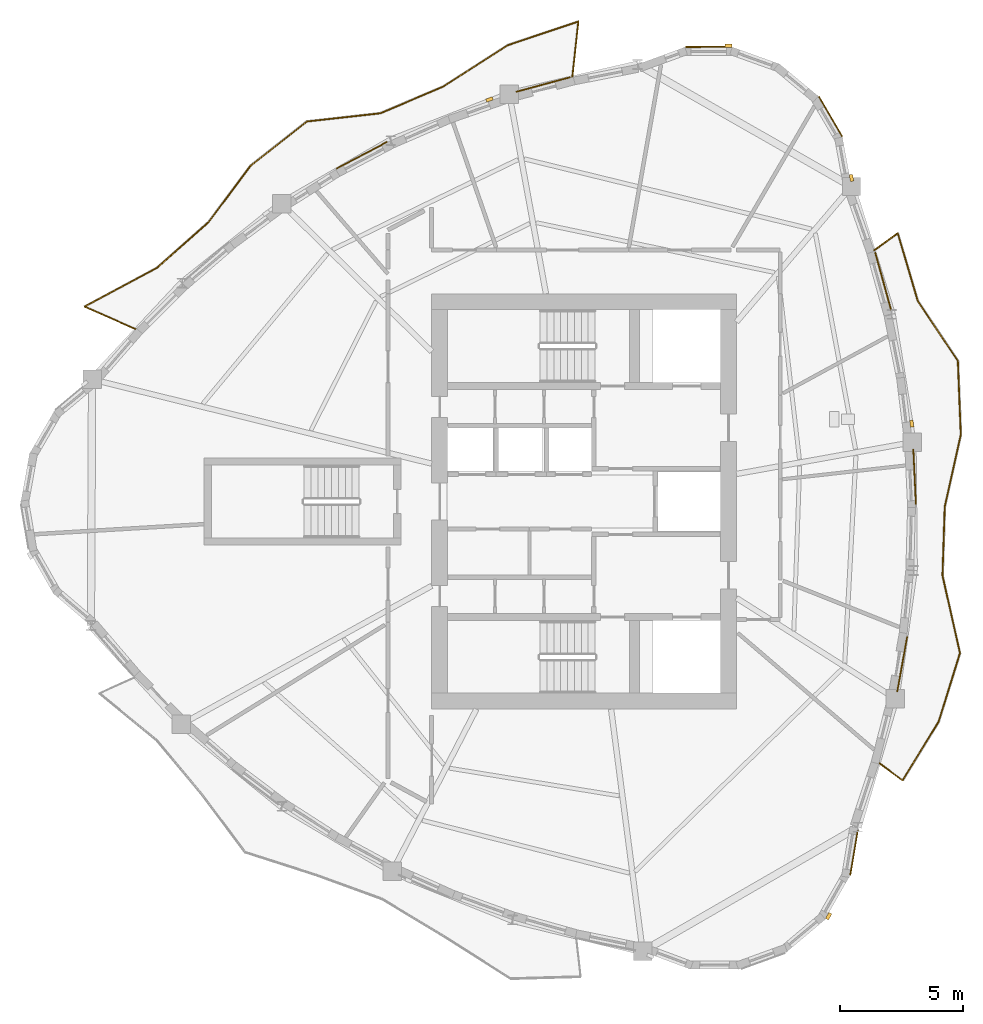
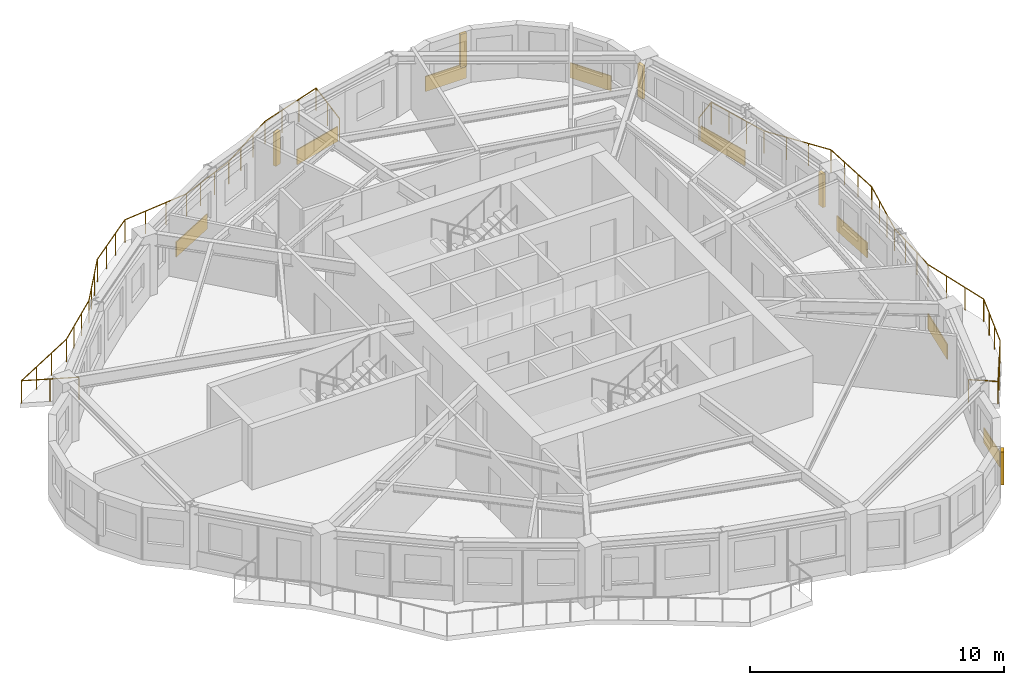
# One storey, part 11 of 12: 8 coverings, 5 shading devices, 2 railings.
"""IFC4 building model written with IfcOpenShell, lengths in metres."""

from ifc_helpers import new_model, si_unit, direction, frame, origin, origin_2d, place, context, subcontext, project, spatial, rectangle, circle, extrude, source, transform, mapped, material, layer, layer_set, type_object, element, save


model = new_model("IFC4")

# Units and contexts
model_context = context("Model", 3, precision=1e-05, world=origin(), true_north=direction((0.0, 1.0)))
body_context = subcontext(model_context, "Body", "Model", "MODEL_VIEW")
ifc_project = project(units=[si_unit("LENGTHUNIT", "METRE"), si_unit("AREAUNIT", "SQUARE_METRE"), si_unit("VOLUMEUNIT", "CUBIC_METRE"), si_unit("PLANEANGLEUNIT", "RADIAN"), si_unit("MASSUNIT", "GRAM", prefix="KILO")], contexts=[model_context])

# Site, building, storey
site_placement = place(None, origin())
site = spatial("IfcSite", under=ifc_project, at=site_placement, CompositionType="ELEMENT")
building_placement = place(site_placement, origin())
building = spatial("IfcBuilding", under=site, at=building_placement, Name="Qafzar Sky-Pleat Residences", CompositionType="ELEMENT")
storey_placement = place(building_placement, frame((0.0, 0.0, 181.0)))
storey = spatial("IfcBuildingStorey", under=building, at=storey_placement, Name="L54", CompositionType="ELEMENT", Elevation=181.0)

# Shading devices
ifc_material_1 = material(Name="Honed Riyadh limestone solar fin", Category="masonry")
ifc_layer_1 = layer(ifc_material_1, 0.139892578125)
ifc_layer_set_1 = layer_set([ifc_layer_1], Name="Honed Riyadh limestone solar fin")
shading_device_type = type_object("IfcShadingDeviceType", Name="SHD-FIN-STONE", PredefinedType="SHUTTER", material=ifc_layer_set_1)
shared_shape_1 = source(origin(), body_context, "Body", "SweptSolid", [
    extrude(rectangle(XDim=0.139892578125, YDim=0.280029296875, at=origin_2d()), origin(), (0.0, 0.0, 1.0), 1.60009765625),
])
for number, where, z_axis, x_axis, name in (
    (1, (40.29931640625, 9.130615234375, 0.599853515625), (0.0, 0.0, 1.0), (0.86845497166, -0.495768052821, 0.0), "L54 Limestone Solar Fin 21"),
    (2, (43.679443359375, 29.165771484375, 0.599853515625), (0.0, 0.0, 1.0), (0.992414501164, 0.122936804413, 0.0), "L54 Limestone Solar Fin 29"),
    (3, (41.230224609375, 39.16259765625, 0.599853515625), (0.0, 0.0, 1.0), (0.983217119636, 0.182439293069, 0.0), "L54 Limestone Solar Fin 33"),
    (4, (36.220458984375, 44.535888671875, 0.599853515625), (0.0, 0.0, 1.0), (-0.002443882984, 0.999997013714, 0.0), "L54 Limestone Solar Fin 37"),
    (5, (26.502685546875, 42.352294921875, 0.599853515625), (0.0, 0.0, 1.0), (-0.329527154717, 0.944146097966, 0.0), "L54 Limestone Solar Fin 41"),
):
    element("IfcShadingDevice", number, at=place(storey_placement, frame(where, z_axis=z_axis, x_axis=x_axis)), inside=storey, type_object=shading_device_type, Name=name, PredefinedType="SHUTTER", context=body_context, shape_type="MappedRepresentation", body=[
        mapped(shared_shape_1, transform((0.0, 0.0, 0.0), x_axis=(1.0, 0.0, 0.0), y_axis=(0.0, 1.0, 0.0), z_axis=(0.0, 0.0, 1.0), scale=1.0)),
    ])

# Coverings
ifc_material_2 = material(Name="Honed Riyadh Tuwaiq limestone cladding", Category="masonry")
ifc_layer_2 = layer(ifc_material_2, 0.044921875)
ifc_layer_set_2 = layer_set([ifc_layer_2], Name="Honed Riyadh Tuwaiq limestone cladding")
covering_type = type_object("IfcCoveringType", Name="COV-CLAD-STONE", PredefinedType="CLADDING", material=ifc_layer_set_2)
shared_shape_2 = source(origin(), body_context, "Body", "SweptSolid", [
    extrude(rectangle(XDim=1.845703125, YDim=0.044921875, at=origin_2d()), origin(), (0.0, 0.0, 1.0), 0.719970703125),
])
covering_1_placement = place(storey_placement, frame((41.3310546875, 11.714599609375, 0.02001953125), z_axis=(0.0, 0.0, 1.0), x_axis=(0.165687701877, 0.98617827265, 0.0)))
element("IfcCovering", 6, at=covering_1_placement, inside=storey, type_object=covering_type, Name="L54 Riyadh Limestone Spandrel Cladding 22", PredefinedType="CLADDING", context=body_context, shape_type="MappedRepresentation", body=[
    mapped(shared_shape_2, transform((0.0, 0.0, 0.0), x_axis=(1.0, 0.0, 0.0), y_axis=(0.0, 1.0, 0.0), z_axis=(0.0, 0.0, 1.0), scale=1.0)),
])
shared_shape_3 = source(origin(), body_context, "Body", "SweptSolid", [
    extrude(rectangle(XDim=1.872802734375, YDim=0.044921875, at=origin_2d()), origin(), (0.0, 0.0, 1.0), 0.719970703125),
])
for number, where, z_axis, x_axis, name in (
    (7, (40.374755859375, 41.65966796875, 0.02001953125), (0.0, 0.0, 1.0), (-0.506268159892, 0.862376107206, 0.0), "L54 Riyadh Limestone Spandrel Cladding 34"),
    (8, (35.41552734375, 44.49072265625, 0.02001953125), (0.0, 0.0, 1.0), (-0.999996996938, -0.002450737482, 0.0), "L54 Riyadh Limestone Spandrel Cladding 37"),
):
    element("IfcCovering", number, at=place(storey_placement, frame(where, z_axis=z_axis, x_axis=x_axis)), inside=storey, type_object=covering_type, Name=name, PredefinedType="CLADDING", context=body_context, shape_type="MappedRepresentation", body=[
        mapped(shared_shape_3, transform((0.0, 0.0, 0.0), x_axis=(1.0, 0.0, 0.0), y_axis=(0.0, 1.0, 0.0), z_axis=(0.0, 0.0, 1.0), scale=1.0)),
    ])

# Railings
ifc_material_3 = material(Name="Laminated glass and bronze steel balustrade", Category="steel")
railing_type = type_object("IfcRailingType", Name="RAIL-BAL-1100", PredefinedType="BALUSTRADE", material=ifc_material_3)
shared_shape_4 = source(origin(), body_context, "Body", "SweptSolid", [
    extrude(circle(Radius=0.02392578125, at=origin_2d()), frame((0.0, 0.0, 1.076171875), z_axis=(0.803344244753, -0.595514923761, 0.0), x_axis=(0.595514923761, 0.803344244753, 0.0)), (0.0, 0.0, 1.0), 1.17822265625),
    extrude(circle(Radius=0.02392578125, at=origin_2d()), frame((0.946533203125, -0.70166015625, 1.076171875), z_axis=(0.524043900996, 0.851691252643, 0.0), x_axis=(-0.851691252643, 0.524043900996, 0.0)), (0.0, 0.0, 1.0), 2.799560546875),
    extrude(circle(Radius=0.02392578125, at=origin_2d()), frame((2.41357421875, 1.6826171875, 1.076171875), z_axis=(0.297102031568, 0.954845737718, 0.0), x_axis=(-0.954845737718, 0.297102031568, 0.0)), (0.0, 0.0, 1.0), 2.927978515625),
    extrude(circle(Radius=0.02392578125, at=origin_2d()), frame((3.283447265625, 4.478271484375, 1.076171875), z_axis=(-0.220191340545, 0.975456699987, 0.0), x_axis=(-0.975456699987, -0.220191340545, 0.0)), (0.0, 0.0, 1.0), 3.233154296875),
    extrude(circle(Radius=0.02392578125, at=origin_2d()), frame((2.571533203125, 7.632080078125, 1.076171875), z_axis=(0.032842031659, 0.999460554978, 0.0), x_axis=(-0.999460554978, 0.032842031659, 0.0)), (0.0, 0.0, 1.0), 2.802490234375),
    extrude(circle(Radius=0.02392578125, at=origin_2d()), frame((2.66357421875, 10.43310546875, 1.076171875), z_axis=(0.218052764742, 0.975936981464, 0.0), x_axis=(-0.975936981464, 0.218052764742, 0.0)), (0.0, 0.0, 1.0), 2.993896484375),
    extrude(circle(Radius=0.02392578125, at=origin_2d()), frame((3.31640625, 13.35498046875, 1.076171875), z_axis=(-0.039563320721, 0.999217065333, 0.0), x_axis=(-0.999217065333, -0.039563320721, 0.0)), (0.0, 0.0, 1.0), 3.011474609375),
    extrude(circle(Radius=0.02392578125, at=origin_2d()), frame((3.197265625, 16.364013671875, 1.076171875), z_axis=(-0.556427990437, 0.830895836708, 0.0), x_axis=(-0.830895836708, -0.556427990437, 0.0)), (0.0, 0.0, 1.0), 2.9326171875),
    extrude(circle(Radius=0.02392578125, at=origin_2d()), frame((1.5654296875, 18.80078125, 1.076171875), z_axis=(-0.283155955018, 0.959073878874, 0.0), x_axis=(-0.959073878874, -0.283155955018, 0.0)), (0.0, 0.0, 1.0), 2.87109375),
    extrude(circle(Radius=0.02392578125, at=origin_2d()), frame((0.75244140625, 21.554443359375, 1.076171875), z_axis=(-0.810712015168, -0.585445154103, 0.0), x_axis=(0.585445154103, -0.810712015168, 0.0)), (0.0, 0.0, 1.0), 1.177978515625),
    extrude(circle(Radius=0.02099609375, at=origin_2d()), origin(), (0.0, 0.0, 1.0), 1.052001953125),
    extrude(circle(Radius=0.02099609375, at=origin_2d()), frame((0.946533203125, -0.70166015625, 0.0)), (0.0, 0.0, 1.0), 1.052001953125),
    extrude(circle(Radius=0.02099609375, at=origin_2d()), frame((1.435546875, 0.093017578125, 0.0)), (0.0, 0.0, 1.0), 1.052001953125),
    extrude(circle(Radius=0.02099609375, at=origin_2d()), frame((1.924560546875, 0.887939453125, 0.0)), (0.0, 0.0, 1.0), 1.052001953125),
    extrude(circle(Radius=0.02099609375, at=origin_2d()), frame((2.41357421875, 1.6826171875, 0.0)), (0.0, 0.0, 1.0), 1.052001953125),
    extrude(circle(Radius=0.02099609375, at=origin_2d()), frame((2.70361328125, 2.614501953125, 0.0)), (0.0, 0.0, 1.0), 1.052001953125),
    extrude(circle(Radius=0.02099609375, at=origin_2d()), frame((2.993408203125, 3.54638671875, 0.0)), (0.0, 0.0, 1.0), 1.052001953125),
    extrude(circle(Radius=0.02099609375, at=origin_2d()), frame((3.283447265625, 4.478271484375, 0.0)), (0.0, 0.0, 1.0), 1.052001953125),
    extrude(circle(Radius=0.02099609375, at=origin_2d()), frame((3.046142578125, 5.529541015625, 0.0)), (0.0, 0.0, 1.0), 1.052001953125),
    extrude(circle(Radius=0.02099609375, at=origin_2d()), frame((2.808837890625, 6.580810546875, 0.0)), (0.0, 0.0, 1.0), 1.052001953125),
    extrude(circle(Radius=0.02099609375, at=origin_2d()), frame((2.571533203125, 7.632080078125, 0.0)), (0.0, 0.0, 1.0), 1.052001953125),
    extrude(circle(Radius=0.02099609375, at=origin_2d()), frame((2.602294921875, 8.565673828125, 0.0)), (0.0, 0.0, 1.0), 1.052001953125),
    extrude(circle(Radius=0.02099609375, at=origin_2d()), frame((2.6328125, 9.49951171875, 0.0)), (0.0, 0.0, 1.0), 1.052001953125),
    extrude(circle(Radius=0.02099609375, at=origin_2d()), frame((2.66357421875, 10.43310546875, 0.0)), (0.0, 0.0, 1.0), 1.052001953125),
    extrude(circle(Radius=0.02099609375, at=origin_2d()), frame((2.881103515625, 11.406982421875, 0.0)), (0.0, 0.0, 1.0), 1.052001953125),
    extrude(circle(Radius=0.02099609375, at=origin_2d()), frame((3.098876953125, 12.381103515625, 0.0)), (0.0, 0.0, 1.0), 1.052001953125),
    extrude(circle(Radius=0.02099609375, at=origin_2d()), frame((3.31640625, 13.35498046875, 0.0)), (0.0, 0.0, 1.0), 1.052001953125),
    extrude(circle(Radius=0.02099609375, at=origin_2d()), frame((3.276611328125, 14.35791015625, 0.0)), (0.0, 0.0, 1.0), 1.052001953125),
    extrude(circle(Radius=0.02099609375, at=origin_2d()), frame((3.237060546875, 15.361083984375, 0.0)), (0.0, 0.0, 1.0), 1.052001953125),
    extrude(circle(Radius=0.02099609375, at=origin_2d()), frame((3.197265625, 16.364013671875, 0.0)), (0.0, 0.0, 1.0), 1.052001953125),
    extrude(circle(Radius=0.02099609375, at=origin_2d()), frame((2.6533203125, 17.17626953125, 0.0)), (0.0, 0.0, 1.0), 1.052001953125),
    extrude(circle(Radius=0.02099609375, at=origin_2d()), frame((2.109375, 17.988525390625, 0.0)), (0.0, 0.0, 1.0), 1.052001953125),
    extrude(circle(Radius=0.02099609375, at=origin_2d()), frame((1.5654296875, 18.80078125, 0.0)), (0.0, 0.0, 1.0), 1.052001953125),
    extrude(circle(Radius=0.02099609375, at=origin_2d()), frame((1.29443359375, 19.71875, 0.0)), (0.0, 0.0, 1.0), 1.052001953125),
    extrude(circle(Radius=0.02099609375, at=origin_2d()), frame((1.0234375, 20.636474609375, 0.0)), (0.0, 0.0, 1.0), 1.052001953125),
    extrude(circle(Radius=0.02099609375, at=origin_2d()), frame((0.75244140625, 21.554443359375, 0.0)), (0.0, 0.0, 1.0), 1.052001953125),
    extrude(circle(Radius=0.02099609375, at=origin_2d()), frame((-0.20263671875, 20.86474609375, 0.0)), (0.0, 0.0, 1.0), 1.052001953125),
])
railing_1_placement = place(storey_placement, frame((42.358154296875, 15.357177734375, 0.0)))
element("IfcRailing", 9, at=railing_1_placement, inside=storey, type_object=railing_type, Name="L54 Pleated Balcony 1 Balustrade", PredefinedType="BALUSTRADE", context=body_context, shape_type="MappedRepresentation", body=[
    mapped(shared_shape_4, transform((0.0, 0.0, 0.0), x_axis=(1.0, 0.0, 0.0), y_axis=(0.0, 1.0, 0.0), z_axis=(0.0, 0.0, 1.0), scale=1.0)),
])
shared_shape_5 = source(origin(), body_context, "Body", "SweptSolid", [
    extrude(circle(Radius=0.02392578125, at=origin_2d()), frame((0.0, 0.0, 1.076171875), z_axis=(0.107941374508, 0.994157261035, 0.0), x_axis=(-0.994157261035, 0.107941374508, 0.0)), (0.0, 0.0, 1.0), 2.270751953125),
    extrude(circle(Radius=0.02392578125, at=origin_2d()), frame((0.2451171875, 2.257568359375, 1.076171875), z_axis=(-0.947766180531, -0.318965933982, 0.0), x_axis=(0.318965933982, -0.947766180531, 0.0)), (0.0, 0.0, 1.0), 3.0478515625),
    extrude(circle(Radius=0.02392578125, at=origin_2d()), frame((-2.6435546875, 1.285400390625, 1.076171875), z_axis=(-0.841132532307, -0.540829051637, 0.0), x_axis=(0.540829051637, -0.841132532307, 0.0)), (0.0, 0.0, 1.0), 3.10791015625),
    extrude(circle(Radius=0.02392578125, at=origin_2d()), frame((-5.2578125, -0.3955078125, 1.076171875), z_axis=(-0.920624997248, -0.390447966371, 0.0), x_axis=(0.390447966371, -0.920624997248, 0.0)), (0.0, 0.0, 1.0), 2.769287109375),
    extrude(circle(Radius=0.02392578125, at=origin_2d()), frame((-7.807373046875, -1.476806640625, 1.076171875), z_axis=(-0.993822240401, -0.11098357754, 0.0), x_axis=(0.11098357754, -0.993822240401, 0.0)), (0.0, 0.0, 1.0), 3.00927734375),
    extrude(circle(Radius=0.02392578125, at=origin_2d()), frame((-10.798095703125, -1.810791015625, 1.076171875), z_axis=(-0.785711050914, -0.618593682858, 0.0), x_axis=(0.618593682858, -0.785711050914, 0.0)), (0.0, 0.0, 1.0), 2.91748046875),
    extrude(circle(Radius=0.02392578125, at=origin_2d()), frame((-13.09033203125, -3.615478515625, 1.076171875), z_axis=(-0.597557989075, -0.801825697825, 0.0), x_axis=(0.801825697825, -0.597557989075, 0.0)), (0.0, 0.0, 1.0), 2.8505859375),
    extrude(circle(Radius=0.02392578125, at=origin_2d()), frame((-14.793701171875, -5.901123046875, 1.076171875), z_axis=(-0.748065530015, -0.663624866023, 0.0), x_axis=(0.663624866023, -0.748065530015, 0.0)), (0.0, 0.0, 1.0), 2.7900390625),
    extrude(circle(Radius=0.02392578125, at=origin_2d()), frame((-16.880859375, -7.752685546875, 1.076171875), z_axis=(-0.8813978737, -0.472374627003, 0.0), x_axis=(0.472374627003, -0.8813978737, 0.0)), (0.0, 0.0, 1.0), 3.3603515625),
    extrude(circle(Radius=0.02392578125, at=origin_2d()), frame((-19.8427734375, -9.340087890625, 1.076171875), z_axis=(0.914894445626, -0.403693142576, 0.0), x_axis=(0.403693142576, 0.914894445626, 0.0)), (0.0, 0.0, 1.0), 2.27099609375),
    extrude(circle(Radius=0.02099609375, at=origin_2d()), origin(), (0.0, 0.0, 1.0), 1.052001953125),
    extrude(circle(Radius=0.02099609375, at=origin_2d()), frame((0.12255859375, 1.12890625, 0.0)), (0.0, 0.0, 1.0), 1.052001953125),
    extrude(circle(Radius=0.02099609375, at=origin_2d()), frame((0.2451171875, 2.257568359375, 0.0)), (0.0, 0.0, 1.0), 1.052001953125),
    extrude(circle(Radius=0.02099609375, at=origin_2d()), frame((-0.7177734375, 1.93359375, 0.0)), (0.0, 0.0, 1.0), 1.052001953125),
    extrude(circle(Radius=0.02099609375, at=origin_2d()), frame((-1.6806640625, 1.609375, 0.0)), (0.0, 0.0, 1.0), 1.052001953125),
    extrude(circle(Radius=0.02099609375, at=origin_2d()), frame((-2.6435546875, 1.285400390625, 0.0)), (0.0, 0.0, 1.0), 1.052001953125),
    extrude(circle(Radius=0.02099609375, at=origin_2d()), frame((-3.514892578125, 0.72509765625, 0.0)), (0.0, 0.0, 1.0), 1.052001953125),
    extrude(circle(Radius=0.02099609375, at=origin_2d()), frame((-4.386474609375, 0.164794921875, 0.0)), (0.0, 0.0, 1.0), 1.052001953125),
    extrude(circle(Radius=0.02099609375, at=origin_2d()), frame((-5.2578125, -0.3955078125, 0.0)), (0.0, 0.0, 1.0), 1.052001953125),
    extrude(circle(Radius=0.02099609375, at=origin_2d()), frame((-6.107666015625, -0.755859375, 0.0)), (0.0, 0.0, 1.0), 1.052001953125),
    extrude(circle(Radius=0.02099609375, at=origin_2d()), frame((-6.95751953125, -1.116455078125, 0.0)), (0.0, 0.0, 1.0), 1.052001953125),
    extrude(circle(Radius=0.02099609375, at=origin_2d()), frame((-7.807373046875, -1.476806640625, 0.0)), (0.0, 0.0, 1.0), 1.052001953125),
    extrude(circle(Radius=0.02099609375, at=origin_2d()), frame((-8.80419921875, -1.588134765625, 0.0)), (0.0, 0.0, 1.0), 1.052001953125),
    extrude(circle(Radius=0.02099609375, at=origin_2d()), frame((-9.80126953125, -1.699462890625, 0.0)), (0.0, 0.0, 1.0), 1.052001953125),
    extrude(circle(Radius=0.02099609375, at=origin_2d()), frame((-10.798095703125, -1.810791015625, 0.0)), (0.0, 0.0, 1.0), 1.052001953125),
    extrude(circle(Radius=0.02099609375, at=origin_2d()), frame((-11.562255859375, -2.412353515625, 0.0)), (0.0, 0.0, 1.0), 1.052001953125),
    extrude(circle(Radius=0.02099609375, at=origin_2d()), frame((-12.326171875, -3.013916015625, 0.0)), (0.0, 0.0, 1.0), 1.052001953125),
    extrude(circle(Radius=0.02099609375, at=origin_2d()), frame((-13.09033203125, -3.615478515625, 0.0)), (0.0, 0.0, 1.0), 1.052001953125),
    extrude(circle(Radius=0.02099609375, at=origin_2d()), frame((-13.658203125, -4.37744140625, 0.0)), (0.0, 0.0, 1.0), 1.052001953125),
    extrude(circle(Radius=0.02099609375, at=origin_2d()), frame((-14.225830078125, -5.13916015625, 0.0)), (0.0, 0.0, 1.0), 1.052001953125),
    extrude(circle(Radius=0.02099609375, at=origin_2d()), frame((-14.793701171875, -5.901123046875, 0.0)), (0.0, 0.0, 1.0), 1.052001953125),
    extrude(circle(Radius=0.02099609375, at=origin_2d()), frame((-15.489501953125, -6.518310546875, 0.0)), (0.0, 0.0, 1.0), 1.052001953125),
    extrude(circle(Radius=0.02099609375, at=origin_2d()), frame((-16.18505859375, -7.135498046875, 0.0)), (0.0, 0.0, 1.0), 1.052001953125),
    extrude(circle(Radius=0.02099609375, at=origin_2d()), frame((-16.880859375, -7.752685546875, 0.0)), (0.0, 0.0, 1.0), 1.052001953125),
    extrude(circle(Radius=0.02099609375, at=origin_2d()), frame((-17.8681640625, -8.28173828125, 0.0)), (0.0, 0.0, 1.0), 1.052001953125),
    extrude(circle(Radius=0.02099609375, at=origin_2d()), frame((-18.85546875, -8.81103515625, 0.0)), (0.0, 0.0, 1.0), 1.052001953125),
    extrude(circle(Radius=0.02099609375, at=origin_2d()), frame((-19.8427734375, -9.340087890625, 0.0)), (0.0, 0.0, 1.0), 1.052001953125),
    extrude(circle(Radius=0.02099609375, at=origin_2d()), frame((-18.803955078125, -9.79833984375, 0.0)), (0.0, 0.0, 1.0), 1.052001953125),
    extrude(circle(Radius=0.02099609375, at=origin_2d()), frame((-17.76513671875, -10.2568359375, 0.0)), (0.0, 0.0, 1.0), 1.052001953125),
])
railing_2_placement = place(storey_placement, frame((29.873291015625, 43.268798828125, 0.0)))
element("IfcRailing", 10, at=railing_2_placement, inside=storey, type_object=railing_type, Name="L54 Pleated Balcony 2 Balustrade", PredefinedType="BALUSTRADE", context=body_context, shape_type="MappedRepresentation", body=[
    mapped(shared_shape_5, transform((0.0, 0.0, 0.0), x_axis=(1.0, 0.0, 0.0), y_axis=(0.0, 1.0, 0.0), z_axis=(0.0, 0.0, 1.0), scale=1.0)),
])

# Coverings
shared_shape_6 = source(origin(), body_context, "Body", "SweptSolid", [
    extrude(rectangle(XDim=2.2734375, YDim=0.044921875, at=origin_2d()), origin(), (0.0, 0.0, 1.0), 0.719970703125),
])
covering_2_placement = place(storey_placement, frame((43.291015625, 19.37890625, 0.02001953125), z_axis=(0.0, 0.0, 1.0), x_axis=(0.177115419767, 0.984190087372, 0.0)))
element("IfcCovering", 11, at=covering_2_placement, inside=storey, type_object=covering_type, Name="L54 Riyadh Limestone Spandrel Cladding 25", PredefinedType="CLADDING", context=body_context, shape_type="MappedRepresentation", body=[
    mapped(shared_shape_6, transform((0.0, 0.0, 0.0), x_axis=(1.0, 0.0, 0.0), y_axis=(0.0, 1.0, 0.0), z_axis=(0.0, 0.0, 1.0), scale=1.0)),
])
shared_shape_7 = source(origin(), body_context, "Body", "SweptSolid", [
    extrude(rectangle(XDim=2.233154296875, YDim=0.044921875, at=origin_2d()), origin(), (0.0, 0.0, 1.0), 0.719970703125),
])
covering_3_placement = place(storey_placement, frame((43.79638671875, 27.00732421875, 0.02001953125), z_axis=(0.0, 0.0, 1.0), x_axis=(-0.047674285956, 0.998862934771, 0.0)))
element("IfcCovering", 12, at=covering_3_placement, inside=storey, type_object=covering_type, Name="L54 Riyadh Limestone Spandrel Cladding 28", PredefinedType="CLADDING", context=body_context, shape_type="MappedRepresentation", body=[
    mapped(shared_shape_7, transform((0.0, 0.0, 0.0), x_axis=(1.0, 0.0, 0.0), y_axis=(0.0, 1.0, 0.0), z_axis=(0.0, 0.0, 1.0), scale=1.0)),
])
shared_shape_8 = source(origin(), body_context, "Body", "SweptSolid", [
    extrude(rectangle(XDim=2.443603515625, YDim=0.044921875, at=origin_2d()), origin(), (0.0, 0.0, 1.0), 0.719970703125),
])
covering_4_placement = place(storey_placement, frame((42.5185546875, 34.948974609375, 0.02001953125), z_axis=(0.0, 0.0, 1.0), x_axis=(-0.266441187036, 0.963851178269, 0.0)))
element("IfcCovering", 13, at=covering_4_placement, inside=storey, type_object=covering_type, Name="L54 Riyadh Limestone Spandrel Cladding 31", PredefinedType="CLADDING", context=body_context, shape_type="MappedRepresentation", body=[
    mapped(shared_shape_8, transform((0.0, 0.0, 0.0), x_axis=(1.0, 0.0, 0.0), y_axis=(0.0, 1.0, 0.0), z_axis=(0.0, 0.0, 1.0), scale=1.0)),
])
shared_shape_9 = source(origin(), body_context, "Body", "SweptSolid", [
    extrude(rectangle(XDim=2.272216796875, YDim=0.044921875, at=origin_2d()), origin(), (0.0, 0.0, 1.0), 0.719970703125),
])
covering_5_placement = place(storey_placement, frame((28.684326171875, 42.958984375, 0.02001953125), z_axis=(0.0, 0.0, 1.0), x_axis=(-0.965446126386, -0.260602718799, 0.0)))
element("IfcCovering", 14, at=covering_5_placement, inside=storey, type_object=covering_type, Name="L54 Riyadh Limestone Spandrel Cladding 40", PredefinedType="CLADDING", context=body_context, shape_type="MappedRepresentation", body=[
    mapped(shared_shape_9, transform((0.0, 0.0, 0.0), x_axis=(1.0, 0.0, 0.0), y_axis=(0.0, 1.0, 0.0), z_axis=(0.0, 0.0, 1.0), scale=1.0)),
])
shared_shape_10 = source(origin(), body_context, "Body", "SweptSolid", [
    extrude(rectangle(XDim=2.323974609375, YDim=0.044921875, at=origin_2d()), origin(), (0.0, 0.0, 1.0), 0.719970703125),
])
covering_6_placement = place(storey_placement, frame((21.314697265625, 40.085693359375, 0.02001953125), z_axis=(0.0, 0.0, 1.0), x_axis=(-0.884382532583, -0.466762826351, 0.0)))
element("IfcCovering", 15, at=covering_6_placement, inside=storey, type_object=covering_type, Name="L54 Riyadh Limestone Spandrel Cladding 43", PredefinedType="CLADDING", context=body_context, shape_type="MappedRepresentation", body=[
    mapped(shared_shape_10, transform((0.0, 0.0, 0.0), x_axis=(1.0, 0.0, 0.0), y_axis=(0.0, 1.0, 0.0), z_axis=(0.0, 0.0, 1.0), scale=1.0)),
])

save(model, "model.ifc")
